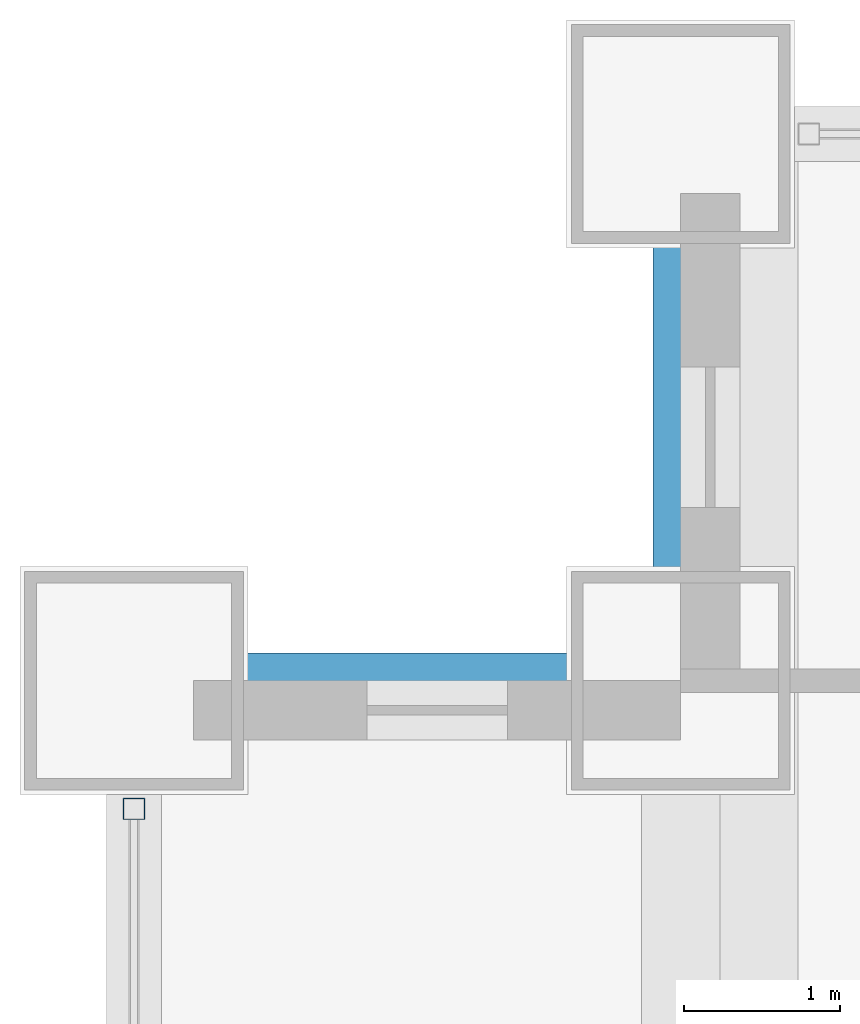
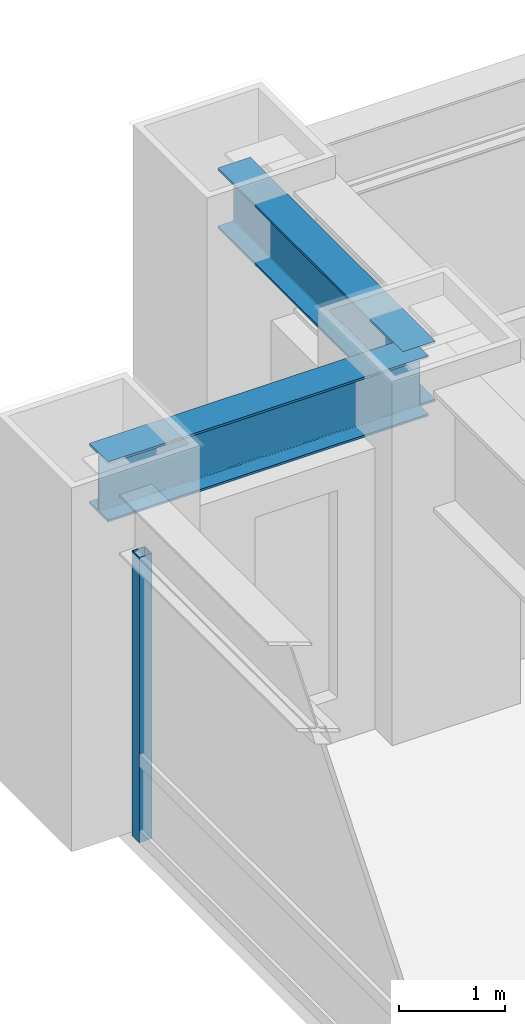
# One storey, part 10 of 29: 2 beams, 1 member, 1 element without a shape of its own.
"""IFC4 building model written with IfcOpenShell, lengths in metres."""

from ifc_helpers import new_model, si_unit, direction, frame, origin, origin_2d, place, context, subcontext, project, spatial, hollow_rectangle, i_section, extrude, source, transform, mapped, material, material_profile, profile_set, type_object, element, aggregate, save


model = new_model("IFC4")

# Units and contexts
model_context = context("Model", 3, precision=1e-05, world=origin(), true_north=direction((0.0, 1.0)))
body_context = subcontext(model_context, "Body", "Model", "MODEL_VIEW")
ifc_project = project(units=[si_unit("LENGTHUNIT", "METRE"), si_unit("AREAUNIT", "SQUARE_METRE"), si_unit("VOLUMEUNIT", "CUBIC_METRE"), si_unit("PLANEANGLEUNIT", "RADIAN"), si_unit("MASSUNIT", "GRAM", prefix="KILO")], contexts=[model_context])

# Site, building, storey
site_placement = place(None, origin())
site = spatial("IfcSite", under=ifc_project, at=site_placement, CompositionType="ELEMENT")
building_placement = place(site_placement, origin())
building = spatial("IfcBuilding", under=site, at=building_placement, Name="Khorayat Bourse Tower", CompositionType="ELEMENT")
storey_placement = place(building_placement, frame((0.0, 0.0, 87.199951171875)))
storey = spatial("IfcBuildingStorey", under=building, at=storey_placement, Name="L19", CompositionType="ELEMENT", Elevation=87.199951171875)

# Beams
ifc_material_1 = material(Name="Steel ASTM A992 Grade 50", Category="steel")
ifc_material_profile_1 = material_profile(ifc_material_1, i_section(OverallWidth=0.35498046875, OverallDepth=0.695068359375, WebThickness=0.015380859375, FlangeThickness=0.02490234375, FilletRadius=0.01806640625, at=origin_2d()), Name="W690X217")
ifc_profile_set_1 = profile_set([ifc_material_profile_1], Name="Steel ASTM A992 Grade 50")
beam_type = type_object("IfcBeamType", Name="BM-SPAN-690", PredefinedType="SPANDREL", material=ifc_profile_set_1)
shared_shape_1 = source(origin(), body_context, "Body", "SweptSolid", [
    extrude(i_section(OverallWidth=0.35498046875, OverallDepth=0.695068359375, WebThickness=0.015380859375, FlangeThickness=0.02490234375, FilletRadius=0.01806640625, at=origin_2d()), origin(), (0.0, 0.0, 1.0), 3.5),
])
for number, where, z_axis, x_axis, name in (
    (1, (-28.5, 28.5, 3.592529296875), (0.0, 1.0, 0.0), (-1.0, 0.0, 0.0), "L19 BM-SPAN-690 BM-L19-SPN-052"),
    (2, (-32.0, 28.5, 3.592529296875), (1.0, 0.0, 0.0), (0.0, 1.0, 0.0), "L19 BM-SPAN-690 BM-L19-SPN-053"),
):
    element("IfcBeam", number, at=place(storey_placement, frame(where, z_axis=z_axis, x_axis=x_axis)), inside=storey, type_object=beam_type, Name=name, PredefinedType="SPANDREL", context=body_context, shape_type="MappedRepresentation", body=[
        mapped(shared_shape_1, transform((0.0, 0.0, 0.0), scale=1.0)),
    ])

# Curtain wall, member
ifc_material_2 = material(Name="Aluminium EN AW-6063 T6", Category="aluminium")
curtain_wall_type = type_object("IfcCurtainWallType", Name="CW-SYS-02", PredefinedType="NOTDEFINED", material=ifc_material_2)
curtain_wall_placement = place(storey_placement, origin())
curtain_wall = element("IfcCurtainWall", 3, at=curtain_wall_placement, inside=storey, type_object=curtain_wall_type, Name="L19 Curtain Wall CW-L19-W1", PredefinedType="NOTDEFINED")
ifc_material_profile_2 = material_profile(ifc_material_2, hollow_rectangle(XDim=0.139892578125, YDim=0.139892578125, WallThickness=0.006103515625, at=origin_2d()), Name="ALU 140x140x6")
ifc_profile_set_2 = profile_set([ifc_material_profile_2], Name="Aluminium EN AW-6063 T6")
member_type = type_object("IfcMemberType", Name="CWM-VERT-140", PredefinedType="MULLION", material=ifc_profile_set_2)
shared_shape_2 = source(origin(), body_context, "Body", "SweptSolid", [
    extrude(hollow_rectangle(XDim=0.139892578125, YDim=0.139892578125, WallThickness=0.006103515625, at=origin_2d()), origin(), (0.0, 0.0, 1.0), 3.2900390625),
])
member_placement = place(storey_placement, frame((-32.0, 27.679931640625, 0.0), z_axis=(0.0, 0.0, 1.0), x_axis=(-1.0, 0.0, 0.0)))
member = element("IfcMember", 4, at=member_placement, type_object=member_type, Name="CW-L19-W1 Vertical Mullion 3", PredefinedType="MULLION", context=body_context, shape_type="MappedRepresentation", body=[
    mapped(shared_shape_2, transform((0.0, 0.0, 0.0), scale=1.0)),
])
aggregate(curtain_wall, [member])

save(model, "model.ifc")
